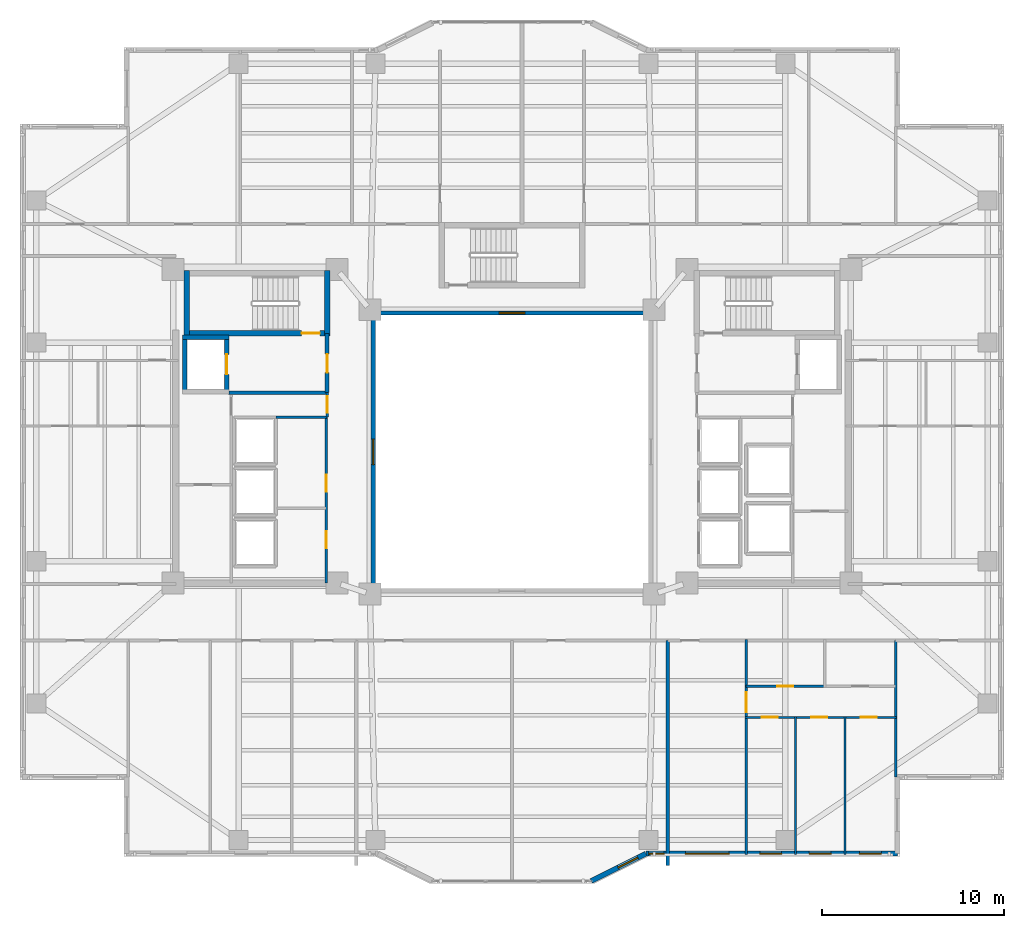
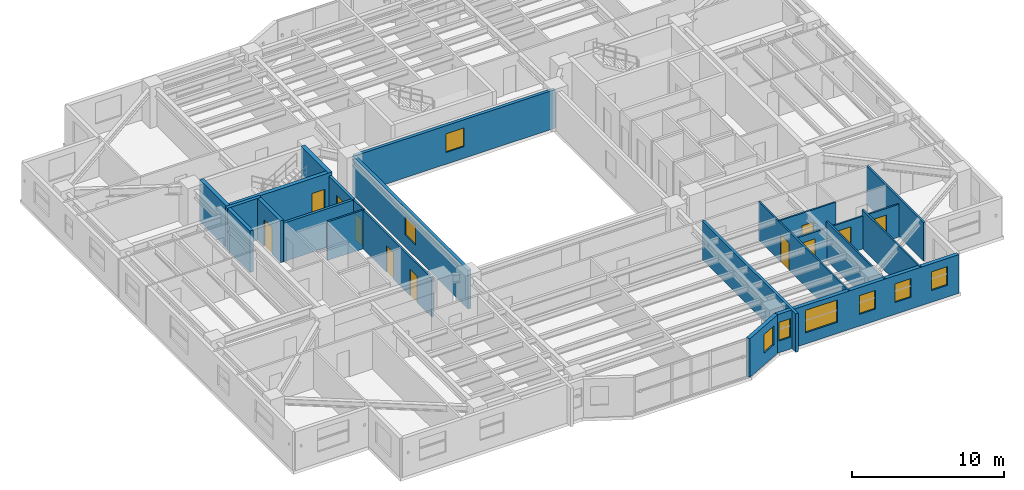
# One storey, part 7 of 18: 22 walls, 11 doors, 8 windows, 19 openings.
"""IFC4 building model written with IfcOpenShell, lengths in metres."""

import ifcopenshell
import ifcopenshell.guid

model = None  # the IFC model being written
_history = None  # IfcOwnerHistory: only IFC2X3 demands one
_inside = {}  # id of a spatial element -> (the spatial element, [elements in it])
_under = {}  # id of a project, library or spatial element -> (it, [spatial elements below it])
_declared = {}  # id of a project -> (the project, [libraries it declares])
_typed = {}  # id of a type object -> (the type object, [elements of that type])
_made_of = {}  # id of a material, layer set ... -> (it, [elements and type objects made of it])


def new_model(schema):
    """Start an empty IFC model of exactly this schema.

    Asked for "IFC4X3", IfcOpenShell would pick the latest addendum, in which some entities
    have other attributes; the version numbers below select the first issue.
    IFC2X3 requires an IfcOwnerHistory on every rooted entity: one is made here for all.
    """
    global model, _history
    if schema == "IFC4X3":
        model = ifcopenshell.file(schema_version=(4, 3, 0, 0))
    else:
        model = ifcopenshell.file(schema=schema)
    _inside.clear()
    _under.clear()
    _declared.clear()
    _typed.clear()
    _made_of.clear()
    _history = None
    if model.schema == "IFC2X3":
        org = make("IfcOrganization", Name="unknown")
        user = make(
            "IfcPersonAndOrganization",
            ThePerson=make("IfcPerson", FamilyName="unknown"),
            TheOrganization=org,
        )
        app = make(
            "IfcApplication",
            ApplicationDeveloper=org,
            Version="unknown",
            ApplicationFullName="unknown",
            ApplicationIdentifier="unknown",
        )
        _history = make(
            "IfcOwnerHistory",
            OwningUser=user,
            OwningApplication=app,
            ChangeAction="ADDED",
            CreationDate=0,
        )
    return model


def make(cls, **values):
    """One entity of the class cls with the attributes given. An attribute that is None is left unset."""
    return model.create_entity(
        cls, **{name: value for name, value in values.items() if value is not None}
    )


def rooted(cls, **values):
    """An entity with a GlobalId (a new one), such as an element, a storey or a relation."""
    return make(cls, GlobalId=ifcopenshell.guid.new(), OwnerHistory=_history, **values)


def si_unit(unit_type, name, prefix=None):
    """IfcSIUnit, for example si_unit("LENGTHUNIT", "METRE", prefix="MILLI")."""
    return make("IfcSIUnit", UnitType=unit_type, Prefix=prefix, Name=name)


def assignment(units):
    """IfcUnitAssignment: the units of a project."""
    return None if units is None else make("IfcUnitAssignment", Units=units)


def point(xyz):
    """IfcCartesianPoint."""
    return None if xyz is None else make("IfcCartesianPoint", Coordinates=xyz)


def direction(xyz):
    """IfcDirection."""
    return None if xyz is None else make("IfcDirection", DirectionRatios=xyz)


def frame(location, z_axis=None, x_axis=None):
    """IfcAxis2Placement3D, a coordinate frame: its origin and axes. An axis left out is left unset."""
    return make(
        "IfcAxis2Placement3D",
        Location=point(location),
        Axis=direction(z_axis),
        RefDirection=direction(x_axis),
    )


def frame_2d(location, x_axis=None):
    """IfcAxis2Placement2D, a coordinate frame in the plane: its origin and x axis."""
    return make(
        "IfcAxis2Placement2D", Location=point(location), RefDirection=direction(x_axis)
    )


def origin():
    """The frame at (0, 0, 0) with its axes left unset."""
    return frame((0.0, 0.0, 0.0))


def place(relative_to, where):
    """IfcLocalPlacement: puts the frame where relative to a parent placement (None: the world)."""
    return make(
        "IfcLocalPlacement", PlacementRelTo=relative_to, RelativePlacement=where
    )


def context(
    kind, dimensions, precision=None, world=None, true_north=None, identifier=None
):
    """IfcGeometricRepresentationContext, for example the 3D "Model" context."""
    return make(
        "IfcGeometricRepresentationContext",
        ContextIdentifier=identifier,
        ContextType=kind,
        CoordinateSpaceDimension=dimensions,
        Precision=precision,
        WorldCoordinateSystem=world,
        TrueNorth=true_north,
    )


def subcontext(parent, identifier, kind, view, scale=None):
    """IfcGeometricRepresentationSubContext, for example "Body" below "Model"."""
    return make(
        "IfcGeometricRepresentationSubContext",
        ContextIdentifier=identifier,
        ContextType=kind,
        ParentContext=parent,
        TargetScale=scale,
        TargetView=view,
    )


def project(units=None, contexts=None):
    """IfcProject with its units and contexts."""
    return rooted(
        "IfcProject",
        Name="project",
        RepresentationContexts=contexts,
        UnitsInContext=assignment(units),
    )


def spatial(cls, under=None, at=None, **own):
    """A site, building, storey or space (cls), placed at a placement, below another one or the project."""
    s = rooted(cls, ObjectPlacement=at, **own)
    if under is not None:
        _under.setdefault(under.id(), (under, []))[1].append(s)
    return s


def profile(cls, at=None, kind="AREA", **sizes):
    """A parametric profile (cls). Its sizes go by their IFC names, for example OverallWidth=200.0."""
    return make(cls, ProfileType=kind, Position=at, **sizes)


def rectangle(**sizes):
    """IfcRectangleProfileDef."""
    return profile("IfcRectangleProfileDef", **sizes)


def extrude(swept, where, along, depth):
    """IfcExtrudedAreaSolid: the profile swept, set in the frame where, extruded along a direction by depth."""
    return make(
        "IfcExtrudedAreaSolid",
        SweptArea=swept,
        Position=where,
        ExtrudedDirection=direction(along),
        Depth=depth,
    )


def shape(context_of_items, identifier, shape_type, items):
    """IfcShapeRepresentation: the items that make up one representation, for example the "Body"."""
    return make(
        "IfcShapeRepresentation",
        ContextOfItems=context_of_items,
        RepresentationIdentifier=identifier,
        RepresentationType=shape_type,
        Items=items,
    )


def material(Name=None, Category=None):
    """IfcMaterial."""
    return make("IfcMaterial", Name=Name, Category=Category)


def layer(
    of_material, thickness, ventilated=None, Name=None, Category=None, Priority=None
):
    """IfcMaterialLayer: one layer of a wall or slab, of a material (None: an air gap)."""
    return make(
        "IfcMaterialLayer",
        Material=of_material,
        LayerThickness=thickness,
        IsVentilated=ventilated,
        Name=Name,
        Category=Category,
        Priority=Priority,
    )


def layer_set(layers, Name=None):
    """IfcMaterialLayerSet."""
    return make("IfcMaterialLayerSet", MaterialLayers=layers, LayerSetName=Name)


def made_of(thing, what):
    """Note that an element or type object is made of a material, layer set ...; save() writes the relation."""
    if what is not None:
        _made_of.setdefault(what.id(), (what, []))[1].append(thing)
    return thing


def type_object(cls, material=None, **own):
    """A type object (cls), such as IfcWallType, which elements share."""
    return made_of(rooted(cls, **own), material)


def element(
    cls,
    number,
    at=None,
    inside=None,
    cuts=None,
    type_object=None,
    material=None,
    context=None,
    identifier="Body",
    shape_type=None,
    held_by="IfcProductDefinitionShape",
    body=None,
    shapes=None,
    **own,
):
    """One element of the class cls, such as IfcWall. Its Tag is "e" and its number.

    at: its placement. inside: the storey or other place that contains it. cuts: it is an
    opening in that element (IfcRelVoidsElement). A single representation is given by context,
    identifier, shape_type and body (its items); several are given by shapes. held_by: the class
    of the entity that holds the representations. save() writes the other relations.
    """
    e = rooted(cls, Tag="e%d" % number, ObjectPlacement=at, **own)
    if body is not None:
        shapes = [shape(context, identifier, shape_type, body)]
    if shapes is not None:
        e.Representation = make(held_by, Representations=shapes)
    if inside is not None:
        _inside.setdefault(inside.id(), (inside, []))[1].append(e)
    if cuts is not None:
        rooted(
            "IfcRelVoidsElement", RelatingBuildingElement=cuts, RelatedOpeningElement=e
        )
    if type_object is not None:
        _typed.setdefault(type_object.id(), (type_object, []))[1].append(e)
    return made_of(e, material)


def fill(opening, filler):
    """IfcRelFillsElement: the door or window that sits in an opening."""
    return rooted(
        "IfcRelFillsElement",
        RelatingOpeningElement=opening,
        RelatedBuildingElement=filler,
    )


def aggregate(whole, parts):
    """IfcRelAggregates: a whole, such as a stair, and the parts it consists of."""
    return rooted("IfcRelAggregates", RelatingObject=whole, RelatedObjects=parts)


def save(model, path):
    """Write the relations noted so far, then the file.

    IfcRelAggregates (storeys below a building ...), IfcRelContainedInSpatialStructure (elements
    in a storey), IfcRelDefinesByType, IfcRelAssociatesMaterial and IfcRelDeclares: one each for
    every whole, place, type object, material and project.
    """
    for whole, parts in _under.values():
        aggregate(whole, parts)
    for where, things in _inside.values():
        rooted(
            "IfcRelContainedInSpatialStructure",
            RelatedElements=things,
            RelatingStructure=where,
        )
    for kind, things in _typed.values():
        rooted("IfcRelDefinesByType", RelatedObjects=things, RelatingType=kind)
    for what, things in _made_of.values():
        rooted("IfcRelAssociatesMaterial", RelatedObjects=things, RelatingMaterial=what)
    for by, libraries in _declared.values():
        rooted("IfcRelDeclares", RelatingContext=by, RelatedDefinitions=libraries)
    model.write(path)


model = new_model("IFC4")

# Units and contexts
model_context = context("Model", 3, precision=1e-05, world=origin(), true_north=direction((0.0, 1.0)))
body_context = subcontext(model_context, "Body", "Model", "MODEL_VIEW")
ifc_project = project(units=[si_unit("LENGTHUNIT", "METRE"), si_unit("AREAUNIT", "SQUARE_METRE"), si_unit("VOLUMEUNIT", "CUBIC_METRE"), si_unit("PLANEANGLEUNIT", "RADIAN"), si_unit("MASSUNIT", "GRAM", prefix="KILO")], contexts=[model_context])

# Site, building, storey
site_placement = place(None, origin())
site = spatial("IfcSite", under=ifc_project, at=site_placement, CompositionType="ELEMENT")
building_placement = place(site_placement, origin())
building = spatial("IfcBuilding", under=site, at=building_placement, Name="Tarnavaz Court Tower", CompositionType="ELEMENT")
storey_placement = place(building_placement, frame((0.0, 0.0, 108.449951171875)))
storey = spatial("IfcBuildingStorey", under=building, at=storey_placement, Name="L29", CompositionType="ELEMENT", Elevation=108.449951171875)

# Wall
ifc_material_1 = material(Name="Concrete C60/75", Category="concrete")
ifc_layer_1 = layer(ifc_material_1, 0.25)
ifc_layer_set_1 = layer_set([ifc_layer_1], Name="Concrete C60/75")
wall_type_1 = type_object("IfcWallType", Name="WL-CORE-250-C60", PredefinedType="SHEAR", material=ifc_layer_set_1)
wall_1_placement = place(storey_placement, frame((-17.949951171875, 3.175048828125, 0.0), z_axis=(0.0, 0.0, 1.0), x_axis=(0.0, 1.0, 0.0)))
element("IfcWall", 1, at=wall_1_placement, inside=storey, type_object=wall_type_1, Name="L29 Lift FL-W1 Shaft Wall 017", PredefinedType="SHEAR", context=body_context, shape_type="SweptSolid", body=[
    extrude(rectangle(XDim=3.25, YDim=0.25, at=frame_2d((1.625, 0.0))), origin(), (0.0, 0.0, 1.0), 3.35009765625),
])

# Wall, opening, door
wall_2_placement = place(storey_placement, frame((-15.64990234375, 3.175048828125, 0.0), z_axis=(0.0, 0.0, 1.0), x_axis=(0.0, 1.0, 0.0)))
wall_2 = element("IfcWall", 2, at=wall_2_placement, inside=storey, type_object=wall_type_1, Name="L29 Lift FL-W1 Shaft Wall 018", PredefinedType="SHEAR", context=body_context, shape_type="SweptSolid", body=[
    extrude(rectangle(XDim=3.25, YDim=0.25, at=frame_2d((1.625, 0.0))), origin(), (0.0, 0.0, 1.0), 3.35009765625),
])
opening_1_placement = place(wall_2_placement, frame((1.074951171875, 0.0, 0.0)))
opening_1 = element("IfcOpeningElement", 3, at=opening_1_placement, cuts=wall_2, Name="Opening LD1", PredefinedType="OPENING", context=body_context, shape_type="SweptSolid", body=[
    extrude(rectangle(XDim=1.10009765625, YDim=2.14990234375, at=frame_2d((0.550048828125, 1.074951171875))), frame((0.0, 0.135009765625, 0.0), z_axis=(0.0, -1.0, 0.0), x_axis=(1.0, 0.0, 0.0)), (0.0, 0.0, 1.0), 0.27001953125),
])
ifc_material_2 = material(Name="Stainless Steel", Category="steel")
door_type_1 = type_object("IfcDoorType", Name="DR-LD-1100", OperationType="NOTDEFINED", PredefinedType="DOOR", material=ifc_material_2)
door_1_placement = place(opening_1_placement, origin())
door_1 = element("IfcDoor", 4, at=door_1_placement, inside=storey, type_object=door_type_1, Name="L29 Lift Landing Door LD-FL-W1", OperationType="SLIDING_TO_LEFT", OverallHeight=2.14990234375, OverallWidth=1.10009765625, PredefinedType="DOOR", context=body_context, shape_type="SweptSolid", body=[
    extrude(rectangle(XDim=1.10009765625, YDim=2.14990234375, at=frame_2d((0.550048828125, 1.074951171875))), frame((0.0, 0.02490234375, 0.0), z_axis=(0.0, -1.0, 0.0), x_axis=(1.0, 0.0, 0.0)), (0.0, 0.0, 1.0), 0.050048828125),
])
fill(opening_1, door_1)

# Wall
wall_3_placement = place(storey_placement, frame((-18.074951171875, 6.300048828125, 0.0), z_axis=(0.0, 0.0, 1.0), x_axis=(1.0, 0.0, 0.0)))
element("IfcWall", 5, at=wall_3_placement, inside=storey, type_object=wall_type_1, Name="L29 Lift FL-W1 Shaft Wall 020", PredefinedType="SHEAR", context=body_context, shape_type="SweptSolid", body=[
    extrude(rectangle(XDim=2.550048828125, YDim=0.25, at=frame_2d((1.27490234375, 0.0))), origin(), (0.0, 0.0, 1.0), 3.35009765625),
])

# Wall, opening, door
ifc_layer_2 = layer(ifc_material_1, 0.300048828125)
ifc_layer_set_2 = layer_set([ifc_layer_2], Name="Concrete C60/75")
wall_type_2 = type_object("IfcWallType", Name="WL-CORE-300-C60", PredefinedType="SHEAR", material=ifc_layer_set_2)
wall_4_placement = place(storey_placement, frame((-18.0, 6.5, 0.0), z_axis=(0.0, 0.0, 1.0), x_axis=(1.0, 0.0, 0.0)))
wall_4 = element("IfcWall", 6, at=wall_4_placement, inside=storey, type_object=wall_type_2, Name="L29 West Stair Core Wall 002", PredefinedType="SHEAR", context=body_context, shape_type="SweptSolid", body=[
    extrude(rectangle(XDim=8.0, YDim=0.300048828125, at=frame_2d((4.0, 0.0))), origin(), (0.0, 0.0, 1.0), 3.35009765625),
])
opening_2_placement = place(wall_4_placement, frame((6.449951171875, 0.0, 0.0)))
opening_2 = element("IfcOpeningElement", 7, at=opening_2_placement, cuts=wall_4, Name="Opening D01", PredefinedType="OPENING", context=body_context, shape_type="SweptSolid", body=[
    extrude(rectangle(XDim=1.0, YDim=2.14990234375, at=frame_2d((0.5, 1.074951171875))), frame((0.0, 0.159912109375, 0.0), z_axis=(0.0, -1.0, 0.0), x_axis=(1.0, 0.0, 0.0)), (0.0, 0.0, 1.0), 0.320068359375),
])
ifc_material_3 = material(Name="Fire-Rated Hardwood Timber Core", Category="wood")
door_type_2 = type_object("IfcDoorType", Name="DR-FD90-1000", OperationType="NOTDEFINED", PredefinedType="DOOR", material=ifc_material_3)
door_2_placement = place(opening_2_placement, origin())
door_2 = element("IfcDoor", 8, at=door_2_placement, inside=storey, type_object=door_type_2, Name="L29 Stair ST-W1 Exit Door", OperationType="SINGLE_SWING_LEFT", OverallHeight=2.14990234375, OverallWidth=1.0, PredefinedType="DOOR", context=body_context, shape_type="SweptSolid", body=[
    extrude(rectangle(XDim=1.0, YDim=2.14990234375, at=frame_2d((0.5, 1.074951171875))), frame((0.0, 0.02490234375, 0.0), z_axis=(0.0, -1.0, 0.0), x_axis=(1.0, 0.0, 0.0)), (0.0, 0.0, 1.0), 0.050048828125),
])
fill(opening_2, door_2)

# Walls
for number, where, z_axis, x_axis, name in (
    (9, (-17.85009765625, 6.35009765625, 0.0), (0.0, 0.0, 1.0), (0.0, 1.0, 0.0), "L29 West Stair Core Wall 003"),
    (10, (-10.14990234375, 6.35009765625, 0.0), (0.0, 0.0, 1.0), (0.0, 1.0, 0.0), "L29 West Stair Core Wall 004"),
):
    element("IfcWall", number, at=place(storey_placement, frame(where, z_axis=z_axis, x_axis=x_axis)), inside=storey, type_object=wall_type_2, Name=name, PredefinedType="SHEAR", context=body_context, shape_type="SweptSolid", body=[
        extrude(rectangle(XDim=3.58984375, YDim=0.300048828125, at=frame_2d((1.794921875, 0.0))), origin(), (0.0, 0.0, 1.0), 3.35009765625),
    ])

# Wall, openings, windows
ifc_material_4 = material(Name="Precast Concrete C40/50", Category="concrete")
ifc_layer_3 = layer(ifc_material_4, 0.280029296875)
ifc_layer_set_3 = layer_set([ifc_layer_3], Name="Precast Concrete C40/50")
wall_type_3 = type_object("IfcWallType", Name="WL-EXT-280", PredefinedType="SOLIDWALL", material=ifc_layer_set_3)
wall_5_placement = place(storey_placement, frame((21.14990234375, -22.050048828125, 0.0), z_axis=(0.0, 0.0, 1.0), x_axis=(-1.0, 0.0, 0.0)))
wall_5 = element("IfcWall", 11, at=wall_5_placement, inside=storey, type_object=wall_type_3, Name="L29 Exterior Terracotta Facade Wall 15", PredefinedType="SOLIDWALL", context=body_context, shape_type="SweptSolid", body=[
    extrude(rectangle(XDim=13.7998046875, YDim=0.280029296875, at=frame_2d((6.89990234375, 0.0))), origin(), (0.0, 0.0, 1.0), 3.10009765625),
])
opening_3_placement = place(wall_5_placement, frame((0.88037109375, 0.0, 0.949951171875)))
opening_3 = element("IfcOpeningElement", 12, at=opening_3_placement, cuts=wall_5, Name="Opening W05", PredefinedType="OPENING", context=body_context, shape_type="SweptSolid", body=[
    extrude(rectangle(XDim=1.199951171875, YDim=1.5, at=frame_2d((0.60009765625, 0.75))), frame((0.0, 0.14990234375, 0.0), z_axis=(0.0, -1.0, 0.0), x_axis=(1.0, 0.0, 0.0)), (0.0, 0.0, 1.0), 0.300048828125),
])
opening_4_placement = place(wall_5_placement, frame((3.640380859375, 0.0, 0.949951171875)))
opening_4 = element("IfcOpeningElement", 13, at=opening_4_placement, cuts=wall_5, Name="Opening W05", PredefinedType="OPENING", context=body_context, shape_type="SweptSolid", body=[
    extrude(rectangle(XDim=1.199951171875, YDim=1.5, at=frame_2d((0.60009765625, 0.75))), frame((0.0, 0.14990234375, 0.0), z_axis=(0.0, -1.0, 0.0), x_axis=(1.0, 0.0, 0.0)), (0.0, 0.0, 1.0), 0.300048828125),
])
opening_5_placement = place(wall_5_placement, frame((6.35009765625, 0.0, 0.949951171875)))
opening_5 = element("IfcOpeningElement", 14, at=opening_5_placement, cuts=wall_5, Name="Opening W05", PredefinedType="OPENING", context=body_context, shape_type="SweptSolid", body=[
    extrude(rectangle(XDim=1.199951171875, YDim=1.5, at=frame_2d((0.60009765625, 0.75))), frame((0.0, 0.14990234375, 0.0), z_axis=(0.0, -1.0, 0.0), x_axis=(1.0, 0.0, 0.0)), (0.0, 0.0, 1.0), 0.300048828125),
])
opening_6_placement = place(wall_5_placement, frame((9.23779296875, 0.0, 0.89990234375)))
opening_6 = element("IfcOpeningElement", 15, at=opening_6_placement, cuts=wall_5, Name="Opening W06", PredefinedType="OPENING", context=body_context, shape_type="SweptSolid", body=[
    extrude(rectangle(XDim=2.39990234375, YDim=1.800048828125, at=frame_2d((1.199951171875, 0.89990234375))), frame((0.0, 0.14990234375, 0.0), z_axis=(0.0, -1.0, 0.0), x_axis=(1.0, 0.0, 0.0)), (0.0, 0.0, 1.0), 0.300048828125),
])
opening_7_placement = place(wall_5_placement, frame((12.802978515625, 0.0, 0.949951171875)))
opening_7 = element("IfcOpeningElement", 16, at=opening_7_placement, cuts=wall_5, Name="Opening W15", PredefinedType="OPENING", context=body_context, shape_type="SweptSolid", body=[
    extrude(rectangle(XDim=0.85009765625, YDim=1.5, at=frame_2d((0.425048828125, 0.75))), frame((0.0, 0.14990234375, 0.0), z_axis=(0.0, -1.0, 0.0), x_axis=(1.0, 0.0, 0.0)), (0.0, 0.0, 1.0), 0.300048828125),
])
ifc_material_5 = material(Name="Double-Glazed Solar Low-E Glass", Category="glass")
window_type_1 = type_object("IfcWindowType", Name="WN-APT-1200", PartitioningType="SINGLE_PANEL", PredefinedType="WINDOW", material=ifc_material_5)
window_1_placement = place(opening_3_placement, origin())
window_1 = element("IfcWindow", 17, at=window_1_placement, inside=storey, type_object=window_type_1, Name="L29 Flat 01 Bedroom 3 Window", OverallHeight=1.5, OverallWidth=1.199951171875, PartitioningType="SINGLE_PANEL", PredefinedType="WINDOW", context=body_context, shape_type="SweptSolid", body=[
    extrude(rectangle(XDim=1.199951171875, YDim=1.5, at=frame_2d((0.60009765625, 0.75))), frame((0.0, 0.030029296875, 0.0), z_axis=(0.0, -1.0, 0.0), x_axis=(1.0, 0.0, 0.0)), (0.0, 0.0, 1.0), 0.06005859375),
])
fill(opening_3, window_1)
window_2_placement = place(opening_4_placement, origin())
window_2 = element("IfcWindow", 18, at=window_2_placement, inside=storey, type_object=window_type_1, Name="L29 Flat 01 Bedroom 2 Window", OverallHeight=1.5, OverallWidth=1.199951171875, PartitioningType="SINGLE_PANEL", PredefinedType="WINDOW", context=body_context, shape_type="SweptSolid", body=[
    extrude(rectangle(XDim=1.199951171875, YDim=1.5, at=frame_2d((0.60009765625, 0.75))), frame((0.0, 0.030029296875, 0.0), z_axis=(0.0, -1.0, 0.0), x_axis=(1.0, 0.0, 0.0)), (0.0, 0.0, 1.0), 0.06005859375),
])
fill(opening_4, window_2)
window_3_placement = place(opening_5_placement, origin())
window_3 = element("IfcWindow", 19, at=window_3_placement, inside=storey, type_object=window_type_1, Name="L29 Flat 01 Principal Bedroom Window", OverallHeight=1.5, OverallWidth=1.199951171875, PartitioningType="SINGLE_PANEL", PredefinedType="WINDOW", context=body_context, shape_type="SweptSolid", body=[
    extrude(rectangle(XDim=1.199951171875, YDim=1.5, at=frame_2d((0.60009765625, 0.75))), frame((0.0, 0.030029296875, 0.0), z_axis=(0.0, -1.0, 0.0), x_axis=(1.0, 0.0, 0.0)), (0.0, 0.0, 1.0), 0.06005859375),
])
fill(opening_5, window_3)
window_type_2 = type_object("IfcWindowType", Name="WN-APT-2400", PartitioningType="TRIPLE_PANEL_VERTICAL", PredefinedType="WINDOW", material=ifc_material_5)
window_4_placement = place(opening_6_placement, origin())
window_4 = element("IfcWindow", 20, at=window_4_placement, inside=storey, type_object=window_type_2, Name="L29 Flat 01 Living and Dining Room Window", OverallHeight=1.800048828125, OverallWidth=2.39990234375, PartitioningType="SINGLE_PANEL", PredefinedType="WINDOW", context=body_context, shape_type="SweptSolid", body=[
    extrude(rectangle(XDim=2.39990234375, YDim=1.800048828125, at=frame_2d((1.199951171875, 0.89990234375))), frame((0.0, 0.030029296875, 0.0), z_axis=(0.0, -1.0, 0.0), x_axis=(1.0, 0.0, 0.0)), (0.0, 0.0, 1.0), 0.06005859375),
])
fill(opening_6, window_4)
window_type_3 = type_object("IfcWindowType", Name="WN-APT-850", PartitioningType="SINGLE_PANEL", PredefinedType="WINDOW", material=ifc_material_5)
window_5_placement = place(opening_7_placement, origin())
window_5 = element("IfcWindow", 21, at=window_5_placement, inside=storey, type_object=window_type_3, Name="L29 South Courtyard Reading Room Window", OverallHeight=1.5, OverallWidth=0.85009765625, PartitioningType="SINGLE_PANEL", PredefinedType="WINDOW", context=body_context, shape_type="SweptSolid", body=[
    extrude(rectangle(XDim=0.85009765625, YDim=1.5, at=frame_2d((0.425048828125, 0.75))), frame((0.0, 0.030029296875, 0.0), z_axis=(0.0, -1.0, 0.0), x_axis=(1.0, 0.0, 0.0)), (0.0, 0.0, 1.0), 0.06005859375),
])
fill(opening_7, window_5)

# Wall, opening, window
wall_6_placement = place(storey_placement, frame((7.35009765625, -22.050048828125, 0.0), z_axis=(0.0, 0.0, 1.0), x_axis=(-0.894427191, -0.4472135955, 0.0)))
wall_6 = element("IfcWall", 22, at=wall_6_placement, inside=storey, type_object=wall_type_3, Name="L29 Exterior Terracotta Facade Wall 16", PredefinedType="SOLIDWALL", context=body_context, shape_type="SweptSolid", body=[
    extrude(rectangle(XDim=3.35400390625, YDim=0.280029296875, at=frame_2d((1.677001953125, 0.0))), origin(), (0.0, 0.0, 1.0), 3.10009765625),
])
opening_8_placement = place(wall_6_placement, frame((0.501220703125, 0.0, 0.949951171875)))
opening_8 = element("IfcOpeningElement", 23, at=opening_8_placement, cuts=wall_6, Name="Opening W05", PredefinedType="OPENING", context=body_context, shape_type="SweptSolid", body=[
    extrude(rectangle(XDim=1.199951171875, YDim=1.5, at=frame_2d((0.60009765625, 0.75))), frame((0.0, 0.14990234375, 0.0), z_axis=(0.0, -1.0, 0.0), x_axis=(1.0, 0.0, 0.0)), (0.0, 0.0, 1.0), 0.300048828125),
])
window_6_placement = place(opening_8_placement, origin())
window_6 = element("IfcWindow", 24, at=window_6_placement, inside=storey, type_object=window_type_1, Name="L29 South Courtyard Reading Room Window", OverallHeight=1.5, OverallWidth=1.199951171875, PartitioningType="SINGLE_PANEL", PredefinedType="WINDOW", context=body_context, shape_type="SweptSolid", body=[
    extrude(rectangle(XDim=1.199951171875, YDim=1.5, at=frame_2d((0.60009765625, 0.75))), frame((0.0, 0.030029296875, 0.0), z_axis=(0.0, -1.0, 0.0), x_axis=(1.0, 0.0, 0.0)), (0.0, 0.0, 1.0), 0.06005859375),
])
fill(opening_8, window_6)

# Wall
ifc_material_6 = material(Name="Autoclaved Aerated Concrete Blockwork", Category="masonry")
ifc_layer_4 = layer(ifc_material_6, 0.199951171875)
ifc_layer_set_4 = layer_set([ifc_layer_4], Name="Autoclaved Aerated Concrete Blockwork")
wall_type_4 = type_object("IfcWallType", Name="WL-FIRE-200", PredefinedType="SOLIDWALL", material=ifc_layer_set_4)
wall_7_placement = place(storey_placement, frame((-15.550048828125, 3.25, 0.0), z_axis=(0.0, 0.0, 1.0), x_axis=(1.0, 0.0, 0.0)))
element("IfcWall", 25, at=wall_7_placement, inside=storey, type_object=wall_type_4, Name="L29 West Firefighting Lobby Wall 013", PredefinedType="SOLIDWALL", context=body_context, shape_type="SweptSolid", body=[
    extrude(rectangle(XDim=5.400146484375, YDim=0.199951171875, at=frame_2d((2.7001953125, 0.0))), origin(), (0.0, 0.0, 1.0), 3.10009765625),
])

# Wall, opening, door
wall_8_placement = place(storey_placement, frame((-10.14990234375, 3.25, 0.0), z_axis=(0.0, 0.0, 1.0), x_axis=(0.0, 1.0, 0.0)))
wall_8 = element("IfcWall", 26, at=wall_8_placement, inside=storey, type_object=wall_type_4, Name="L29 West Firefighting Lobby Wall 014", PredefinedType="SOLIDWALL", context=body_context, shape_type="SweptSolid", body=[
    extrude(rectangle(XDim=3.25, YDim=0.199951171875, at=frame_2d((1.625, 0.0))), origin(), (0.0, 0.0, 1.0), 3.10009765625),
])
opening_9_placement = place(wall_8_placement, frame((1.10009765625, 0.0, 0.0)))
opening_9 = element("IfcOpeningElement", 27, at=opening_9_placement, cuts=wall_8, Name="Opening D05", PredefinedType="OPENING", context=body_context, shape_type="SweptSolid", body=[
    extrude(rectangle(XDim=1.02001953125, YDim=2.14990234375, at=frame_2d((0.510009765625, 1.074951171875))), frame((0.0, 0.10986328125, 0.0), z_axis=(0.0, -1.0, 0.0), x_axis=(1.0, 0.0, 0.0)), (0.0, 0.0, 1.0), 0.219970703125),
])
door_type_3 = type_object("IfcDoorType", Name="DR-FD60-1000", OperationType="NOTDEFINED", PredefinedType="DOOR", material=ifc_material_3)
door_3_placement = place(opening_9_placement, origin())
door_3 = element("IfcDoor", 28, at=door_3_placement, inside=storey, type_object=door_type_3, Name="L29 West Firefighting Lobby Door", OperationType="SINGLE_SWING_RIGHT", OverallHeight=2.14990234375, OverallWidth=1.02001953125, PredefinedType="DOOR", context=body_context, shape_type="SweptSolid", body=[
    extrude(rectangle(XDim=1.02001953125, YDim=2.14990234375, at=frame_2d((0.510009765625, 1.074951171875))), frame((0.0, 0.02490234375, 0.0), z_axis=(0.0, -1.0, 0.0), x_axis=(1.0, 0.0, 0.0)), (0.0, 0.0, 1.0), 0.050048828125),
])
fill(opening_9, door_3)

# Wall
wall_9_placement = place(storey_placement, frame((8.550048828125, -22.7041015625, 0.0), z_axis=(0.0, 0.0, 1.0), x_axis=(0.0, 1.0, 0.0)))
element("IfcWall", 29, at=wall_9_placement, inside=storey, type_object=wall_type_4, Name="L29 Party Wall 092", PredefinedType="SOLIDWALL", context=body_context, shape_type="SweptSolid", body=[
    extrude(rectangle(XDim=12.35400390625, YDim=0.199951171875, at=frame_2d((6.177001953125, 0.0))), origin(), (0.0, 0.0, 1.0), 3.10009765625),
])

# Wall, opening, door
ifc_material_7 = material(Name="Moisture-Resistant Gypsum Board Partition", Category="masonry")
ifc_layer_5 = layer(ifc_material_7, 0.1201171875)
ifc_layer_set_5 = layer_set([ifc_layer_5], Name="Moisture-Resistant Gypsum Board Partition")
wall_type_5 = type_object("IfcWallType", Name="WL-PART-120", PredefinedType="PARTITIONING", material=ifc_layer_set_5)
wall_10_placement = place(storey_placement, frame((12.85205078125, -22.10009765625, 0.0), z_axis=(0.0, 0.0, 1.0), x_axis=(0.0, 1.0, 0.0)))
wall_10 = element("IfcWall", 30, at=wall_10_placement, inside=storey, type_object=wall_type_5, Name="L29 Interior Partition 084", PredefinedType="PARTITIONING", context=body_context, shape_type="SweptSolid", body=[
    extrude(rectangle(XDim=11.81005859375, YDim=0.1201171875, at=frame_2d((5.905029296875, 0.0))), origin(), (0.0, 0.0, 1.0), 3.10009765625),
])
opening_10_placement = place(wall_10_placement, frame((7.81494140625, 0.0, 0.0)))
opening_10 = element("IfcOpeningElement", 31, at=opening_10_placement, cuts=wall_10, Name="Opening D12", PredefinedType="OPENING", context=body_context, shape_type="SweptSolid", body=[
    extrude(rectangle(XDim=1.080078125, YDim=2.14990234375, at=frame_2d((0.5400390625, 1.074951171875))), frame((0.0, 0.070068359375, 0.0), z_axis=(0.0, -1.0, 0.0), x_axis=(1.0, 0.0, 0.0)), (0.0, 0.0, 1.0), 0.14013671875),
])
ifc_material_8 = material(Name="Engineered Oak Timber", Category="wood")
door_type_4 = type_object("IfcDoorType", Name="DR-INT-1100", OperationType="NOTDEFINED", PredefinedType="DOOR", material=ifc_material_8)
door_4_placement = place(opening_10_placement, origin())
door_4 = element("IfcDoor", 32, at=door_4_placement, inside=storey, type_object=door_type_4, Name="L29 Flat 01 Foyer Door", OperationType="SINGLE_SWING_LEFT", OverallHeight=2.14990234375, OverallWidth=1.080078125, PredefinedType="DOOR", context=body_context, shape_type="SweptSolid", body=[
    extrude(rectangle(XDim=1.080078125, YDim=2.14990234375, at=frame_2d((0.5400390625, 1.074951171875))), frame((0.0, 0.02490234375, 0.0), z_axis=(0.0, -1.0, 0.0), x_axis=(1.0, 0.0, 0.0)), (0.0, 0.0, 1.0), 0.050048828125),
])
fill(opening_10, door_4)

wall_11_placement = place(storey_placement, frame((12.85205078125, -12.860107421875, 0.0), z_axis=(0.0, 0.0, 1.0), x_axis=(1.0, 0.0, 0.0)))
wall_11 = element("IfcWall", 33, at=wall_11_placement, inside=storey, type_object=wall_type_5, Name="L29 Interior Partition 085", PredefinedType="PARTITIONING", context=body_context, shape_type="SweptSolid", body=[
    extrude(rectangle(XDim=4.31298828125, YDim=0.1201171875, at=frame_2d((2.156494140625, 0.0))), origin(), (0.0, 0.0, 1.0), 3.10009765625),
])
opening_11_placement = place(wall_11_placement, frame((1.716064453125, 0.0, 0.0)))
opening_11 = element("IfcOpeningElement", 34, at=opening_11_placement, cuts=wall_11, Name="Opening D14", PredefinedType="OPENING", context=body_context, shape_type="SweptSolid", body=[
    extrude(rectangle(XDim=0.8798828125, YDim=2.10009765625, at=frame_2d((0.43994140625, 1.050048828125))), frame((0.0, 0.070068359375, 0.0), z_axis=(0.0, -1.0, 0.0), x_axis=(1.0, 0.0, 0.0)), (0.0, 0.0, 1.0), 0.14013671875),
])
door_type_5 = type_object("IfcDoorType", Name="DR-INT-900", OperationType="NOTDEFINED", PredefinedType="DOOR", material=ifc_material_8)
door_5_placement = place(opening_11_placement, origin())
door_5 = element("IfcDoor", 35, at=door_5_placement, inside=storey, type_object=door_type_5, Name="L29 Flat 01 Kitchen Door", OperationType="SINGLE_SWING_RIGHT", OverallHeight=2.10009765625, OverallWidth=0.8798828125, PredefinedType="DOOR", context=body_context, shape_type="SweptSolid", body=[
    extrude(rectangle(XDim=0.8798828125, YDim=2.10009765625, at=frame_2d((0.43994140625, 1.050048828125))), frame((0.0, 0.02490234375, 0.0), z_axis=(0.0, -1.0, 0.0), x_axis=(1.0, 0.0, 0.0)), (0.0, 0.0, 1.0), 0.050048828125),
])
fill(opening_11, door_5)

# Wall, openings, doors
wall_12_placement = place(storey_placement, frame((12.7919921875, -14.570068359375, 0.0), z_axis=(0.0, 0.0, 1.0), x_axis=(1.0, 0.0, 0.0)))
wall_12 = element("IfcWall", 36, at=wall_12_placement, inside=storey, type_object=wall_type_5, Name="L29 Interior Partition 087", PredefinedType="PARTITIONING", context=body_context, shape_type="SweptSolid", body=[
    extrude(rectangle(XDim=8.318115234375, YDim=0.1201171875, at=frame_2d((4.1591796875, 0.0))), origin(), (0.0, 0.0, 1.0), 2.635009765625),
])
opening_12_placement = place(wall_12_placement, frame((0.916015625, 0.0, 0.0)))
opening_12 = element("IfcOpeningElement", 37, at=opening_12_placement, cuts=wall_12, Name="Opening D14", PredefinedType="OPENING", context=body_context, shape_type="SweptSolid", body=[
    extrude(rectangle(XDim=0.8798828125, YDim=2.10009765625, at=frame_2d((0.43994140625, 1.050048828125))), frame((0.0, 0.070068359375, 0.0), z_axis=(0.0, -1.0, 0.0), x_axis=(1.0, 0.0, 0.0)), (0.0, 0.0, 1.0), 0.14013671875),
])
opening_13_placement = place(wall_12_placement, frame((3.62890625, 0.0, 0.0)))
opening_13 = element("IfcOpeningElement", 38, at=opening_13_placement, cuts=wall_12, Name="Opening D14", PredefinedType="OPENING", context=body_context, shape_type="SweptSolid", body=[
    extrude(rectangle(XDim=0.8798828125, YDim=2.10009765625, at=frame_2d((0.43994140625, 1.050048828125))), frame((0.0, 0.070068359375, 0.0), z_axis=(0.0, -1.0, 0.0), x_axis=(1.0, 0.0, 0.0)), (0.0, 0.0, 1.0), 0.14013671875),
])
opening_14_placement = place(wall_12_placement, frame((6.342041015625, 0.0, 0.0)))
opening_14 = element("IfcOpeningElement", 39, at=opening_14_placement, cuts=wall_12, Name="Opening D14", PredefinedType="OPENING", context=body_context, shape_type="SweptSolid", body=[
    extrude(rectangle(XDim=0.8798828125, YDim=2.10009765625, at=frame_2d((0.43994140625, 1.050048828125))), frame((0.0, 0.070068359375, 0.0), z_axis=(0.0, -1.0, 0.0), x_axis=(1.0, 0.0, 0.0)), (0.0, 0.0, 1.0), 0.14013671875),
])
door_6_placement = place(opening_12_placement, origin())
door_6 = element("IfcDoor", 40, at=door_6_placement, inside=storey, type_object=door_type_5, Name="L29 Flat 01 Bedroom 1 Door", OperationType="SINGLE_SWING_RIGHT", OverallHeight=2.10009765625, OverallWidth=0.8798828125, PredefinedType="DOOR", context=body_context, shape_type="SweptSolid", body=[
    extrude(rectangle(XDim=0.8798828125, YDim=2.10009765625, at=frame_2d((0.43994140625, 1.050048828125))), frame((0.0, 0.02490234375, 0.0), z_axis=(0.0, -1.0, 0.0), x_axis=(1.0, 0.0, 0.0)), (0.0, 0.0, 1.0), 0.050048828125),
])
fill(opening_12, door_6)
door_7_placement = place(opening_13_placement, origin())
door_7 = element("IfcDoor", 41, at=door_7_placement, inside=storey, type_object=door_type_5, Name="L29 Flat 01 Bedroom 2 Door", OperationType="SINGLE_SWING_LEFT", OverallHeight=2.10009765625, OverallWidth=0.8798828125, PredefinedType="DOOR", context=body_context, shape_type="SweptSolid", body=[
    extrude(rectangle(XDim=0.8798828125, YDim=2.10009765625, at=frame_2d((0.43994140625, 1.050048828125))), frame((0.0, 0.02490234375, 0.0), z_axis=(0.0, -1.0, 0.0), x_axis=(1.0, 0.0, 0.0)), (0.0, 0.0, 1.0), 0.050048828125),
])
fill(opening_13, door_7)
door_8_placement = place(opening_14_placement, origin())
door_8 = element("IfcDoor", 42, at=door_8_placement, inside=storey, type_object=door_type_5, Name="L29 Flat 01 Bedroom 3 Door", OperationType="SINGLE_SWING_RIGHT", OverallHeight=2.10009765625, OverallWidth=0.8798828125, PredefinedType="DOOR", context=body_context, shape_type="SweptSolid", body=[
    extrude(rectangle(XDim=0.8798828125, YDim=2.10009765625, at=frame_2d((0.43994140625, 1.050048828125))), frame((0.0, 0.02490234375, 0.0), z_axis=(0.0, -1.0, 0.0), x_axis=(1.0, 0.0, 0.0)), (0.0, 0.0, 1.0), 0.050048828125),
])
fill(opening_14, door_8)

# Walls
for number, where, z_axis, x_axis, name in (
    (43, (15.56494140625, -22.10009765625, 0.0), (0.0, 0.0, 1.0), (0.0, 1.0, 0.0), "L29 Interior Partition 089"),
    (44, (18.277099609375, -22.10009765625, 0.0), (0.0, 0.0, 1.0), (0.0, 1.0, 0.0), "L29 Interior Partition 090"),
):
    element("IfcWall", number, at=place(storey_placement, frame(where, z_axis=z_axis, x_axis=x_axis)), inside=storey, type_object=wall_type_5, Name=name, PredefinedType="PARTITIONING", context=body_context, shape_type="SweptSolid", body=[
        extrude(rectangle(XDim=7.590087890625, YDim=0.1201171875, at=frame_2d((3.794921875, 0.0))), origin(), (0.0, 0.0, 1.0), 3.10009765625),
    ])
ifc_material_9 = material(Name="Gypsum Plasterboard Acoustic Partition", Category="masonry")
ifc_layer_6 = layer(ifc_material_9, 0.139892578125)
ifc_layer_set_6 = layer_set([ifc_layer_6], Name="Gypsum Plasterboard Acoustic Partition")
wall_type_6 = type_object("IfcWallType", Name="WL-PART-150", PredefinedType="PARTITIONING", material=ifc_layer_set_6)
wall_13_placement = place(storey_placement, frame((-12.949951171875, 1.89990234375, 0.0), z_axis=(0.0, 0.0, 1.0), x_axis=(1.0, 0.0, 0.0)))
element("IfcWall", 45, at=wall_13_placement, inside=storey, type_object=wall_type_6, Name="L29 Interior Partition 061", PredefinedType="PARTITIONING", context=body_context, shape_type="SweptSolid", body=[
    extrude(rectangle(XDim=2.800048828125, YDim=0.139892578125, at=frame_2d((1.39990234375, 0.0))), origin(), (0.0, 0.0, 1.0), 3.10009765625),
])

# Wall, opening, door
wall_14_placement = place(storey_placement, frame((-10.14990234375, 1.919921875, 0.0), z_axis=(0.0, 0.0, 1.0), x_axis=(0.0, 1.0, 0.0)))
wall_14 = element("IfcWall", 46, at=wall_14_placement, inside=storey, type_object=wall_type_6, Name="L29 Interior Partition 062", PredefinedType="PARTITIONING", context=body_context, shape_type="SweptSolid", body=[
    extrude(rectangle(XDim=1.330078125, YDim=0.139892578125, at=frame_2d((0.6650390625, 0.0))), origin(), (0.0, 0.0, 1.0), 3.10009765625),
])
opening_15_placement = place(wall_14_placement, frame((0.219970703125, 0.0, 0.0)))
opening_15 = element("IfcOpeningElement", 47, at=opening_15_placement, cuts=wall_14, Name="Opening D09", PredefinedType="OPENING", context=body_context, shape_type="SweptSolid", body=[
    extrude(rectangle(XDim=0.89990234375, YDim=2.080078125, at=frame_2d((0.449951171875, 1.0400390625))), frame((0.0, 0.079833984375, 0.0), z_axis=(0.0, -1.0, 0.0), x_axis=(1.0, 0.0, 0.0)), (0.0, 0.0, 1.0), 0.159912109375),
])
door_type_6 = type_object("IfcDoorType", Name="DR-FD30-900", OperationType="NOTDEFINED", PredefinedType="DOOR", material=ifc_material_3)
door_9_placement = place(opening_15_placement, origin())
door_9 = element("IfcDoor", 48, at=door_9_placement, inside=storey, type_object=door_type_6, Name="L29 West Core Service Lobby Door", OperationType="SINGLE_SWING_LEFT", OverallHeight=2.080078125, OverallWidth=0.89990234375, PredefinedType="DOOR", context=body_context, shape_type="SweptSolid", body=[
    extrude(rectangle(XDim=0.89990234375, YDim=2.080078125, at=frame_2d((0.449951171875, 1.0400390625))), frame((0.0, 0.02490234375, 0.0), z_axis=(0.0, -1.0, 0.0), x_axis=(1.0, 0.0, 0.0)), (0.0, 0.0, 1.0), 0.050048828125),
])
fill(opening_15, door_9)

# Wall, openings, doors
wall_15_placement = place(storey_placement, frame((-10.199951171875, -7.199951171875, 0.0), z_axis=(0.0, 0.0, 1.0), x_axis=(0.0, 1.0, 0.0)))
wall_15 = element("IfcWall", 49, at=wall_15_placement, inside=storey, type_object=wall_type_6, Name="L29 West Reclaimed Core Wall 065", PredefinedType="PARTITIONING", context=body_context, shape_type="SweptSolid", body=[
    extrude(rectangle(XDim=9.119873046875, YDim=0.139892578125, at=frame_2d((4.56005859375, 0.0))), origin(), (0.0, 0.0, 1.0), 3.10009765625),
])
opening_16_placement = place(wall_15_placement, frame((1.89990234375, 0.0, 0.0)))
opening_16 = element("IfcOpeningElement", 50, at=opening_16_placement, cuts=wall_15, Name="Opening D08", PredefinedType="OPENING", context=body_context, shape_type="SweptSolid", body=[
    extrude(rectangle(XDim=0.949951171875, YDim=2.1201171875, at=frame_2d((0.47509765625, 1.06005859375))), frame((0.0, 0.079833984375, 0.0), z_axis=(0.0, -1.0, 0.0), x_axis=(1.0, 0.0, 0.0)), (0.0, 0.0, 1.0), 0.159912109375),
])
opening_17_placement = place(wall_15_placement, frame((5.0, 0.0, 0.0)))
opening_17 = element("IfcOpeningElement", 51, at=opening_17_placement, cuts=wall_15, Name="Opening D08", PredefinedType="OPENING", context=body_context, shape_type="SweptSolid", body=[
    extrude(rectangle(XDim=0.949951171875, YDim=2.1201171875, at=frame_2d((0.47509765625, 1.06005859375))), frame((0.0, 0.079833984375, 0.0), z_axis=(0.0, -1.0, 0.0), x_axis=(1.0, 0.0, 0.0)), (0.0, 0.0, 1.0), 0.159912109375),
])
door_type_7 = type_object("IfcDoorType", Name="DR-FD30-950", OperationType="NOTDEFINED", PredefinedType="DOOR", material=ifc_material_3)
door_10_placement = place(opening_16_placement, origin())
door_10 = element("IfcDoor", 52, at=door_10_placement, inside=storey, type_object=door_type_7, Name="L29 West Study Room Door", OperationType="SINGLE_SWING_RIGHT", OverallHeight=2.1201171875, OverallWidth=0.949951171875, PredefinedType="DOOR", context=body_context, shape_type="SweptSolid", body=[
    extrude(rectangle(XDim=0.949951171875, YDim=2.1201171875, at=frame_2d((0.47509765625, 1.06005859375))), frame((0.0, 0.02490234375, 0.0), z_axis=(0.0, -1.0, 0.0), x_axis=(1.0, 0.0, 0.0)), (0.0, 0.0, 1.0), 0.050048828125),
])
fill(opening_16, door_10)
door_11_placement = place(opening_17_placement, origin())
door_11 = element("IfcDoor", 53, at=door_11_placement, inside=storey, type_object=door_type_7, Name="L29 West Laundry Room Door", OperationType="SINGLE_SWING_LEFT", OverallHeight=2.1201171875, OverallWidth=0.949951171875, PredefinedType="DOOR", context=body_context, shape_type="SweptSolid", body=[
    extrude(rectangle(XDim=0.949951171875, YDim=2.1201171875, at=frame_2d((0.47509765625, 1.06005859375))), frame((0.0, 0.02490234375, 0.0), z_axis=(0.0, -1.0, 0.0), x_axis=(1.0, 0.0, 0.0)), (0.0, 0.0, 1.0), 0.050048828125),
])
fill(opening_17, door_11)

# Wall
wall_16_placement = place(storey_placement, frame((21.050048828125, -17.85009765625, 0.0), z_axis=(0.0, 0.0, 1.0), x_axis=(0.0, 1.0, 0.0)))
element("IfcWall", 54, at=wall_16_placement, inside=storey, type_object=wall_type_6, Name="L29 Interior Partition 100", PredefinedType="PARTITIONING", context=body_context, shape_type="SweptSolid", body=[
    extrude(rectangle(XDim=7.5, YDim=0.139892578125, at=frame_2d((3.75, 0.0))), origin(), (0.0, 0.0, 1.0), 3.10009765625),
])

# Wall, opening, window
ifc_layer_7 = layer(ifc_material_4, 0.239990234375)
ifc_layer_set_7 = layer_set([ifc_layer_7], Name="Precast Concrete C40/50")
wall_type_7 = type_object("IfcWallType", Name="WL-WELL-240", PredefinedType="SOLIDWALL", material=ifc_layer_set_7)
wall_17_placement = place(storey_placement, frame((7.6201171875, 7.6201171875, 0.0), z_axis=(0.0, 0.0, 1.0), x_axis=(-1.0, 0.0, 0.0)))
wall_17 = element("IfcWall", 55, at=wall_17_placement, inside=storey, type_object=wall_type_7, Name="L29 Badgir Light-Well Exterior Wall N", PredefinedType="SOLIDWALL", context=body_context, shape_type="SweptSolid", body=[
    extrude(rectangle(XDim=15.240234375, YDim=0.239990234375, at=frame_2d((7.6201171875, 0.0))), origin(), (0.0, 0.0, 1.0), 3.10009765625),
])
opening_18_placement = place(wall_17_placement, frame((6.919921875, 0.0, 0.949951171875)))
opening_18 = element("IfcOpeningElement", 56, at=opening_18_placement, cuts=wall_17, Name="Opening W13", PredefinedType="OPENING", context=body_context, shape_type="SweptSolid", body=[
    extrude(rectangle(XDim=1.39990234375, YDim=1.5, at=frame_2d((0.699951171875, 0.75))), frame((0.0, 0.1298828125, 0.0), z_axis=(0.0, -1.0, 0.0), x_axis=(1.0, 0.0, 0.0)), (0.0, 0.0, 1.0), 0.260009765625),
])
window_type_4 = type_object("IfcWindowType", Name="WN-WEL-1400", PartitioningType="SINGLE_PANEL", PredefinedType="WINDOW", material=ifc_material_5)
window_7_placement = place(opening_18_placement, origin())
window_7 = element("IfcWindow", 57, at=window_7_placement, inside=storey, type_object=window_type_4, Name="L29 Courtyard Gallery Window N", OverallHeight=1.5, OverallWidth=1.39990234375, PartitioningType="SINGLE_PANEL", PredefinedType="WINDOW", context=body_context, shape_type="SweptSolid", body=[
    extrude(rectangle(XDim=1.39990234375, YDim=1.5, at=frame_2d((0.699951171875, 0.75))), frame((0.0, 0.030029296875, 0.0), z_axis=(0.0, -1.0, 0.0), x_axis=(1.0, 0.0, 0.0)), (0.0, 0.0, 1.0), 0.06005859375),
])
fill(opening_18, window_7)

wall_18_placement = place(storey_placement, frame((-7.6201171875, 7.6201171875, 0.0), z_axis=(0.0, 0.0, 1.0), x_axis=(0.0, -1.0, 0.0)))
wall_18 = element("IfcWall", 58, at=wall_18_placement, inside=storey, type_object=wall_type_7, Name="L29 Badgir Light-Well Exterior Wall W", PredefinedType="SOLIDWALL", context=body_context, shape_type="SweptSolid", body=[
    extrude(rectangle(XDim=15.240234375, YDim=0.239990234375, at=frame_2d((7.6201171875, 0.0))), origin(), (0.0, 0.0, 1.0), 3.10009765625),
])
opening_19_placement = place(wall_18_placement, frame((6.919921875, 0.0, 0.949951171875)))
opening_19 = element("IfcOpeningElement", 59, at=opening_19_placement, cuts=wall_18, Name="Opening W13", PredefinedType="OPENING", context=body_context, shape_type="SweptSolid", body=[
    extrude(rectangle(XDim=1.39990234375, YDim=1.5, at=frame_2d((0.699951171875, 0.75))), frame((0.0, 0.1298828125, 0.0), z_axis=(0.0, -1.0, 0.0), x_axis=(1.0, 0.0, 0.0)), (0.0, 0.0, 1.0), 0.260009765625),
])
window_8_placement = place(opening_19_placement, origin())
window_8 = element("IfcWindow", 60, at=window_8_placement, inside=storey, type_object=window_type_4, Name="L29 Courtyard Gallery Window W", OverallHeight=1.5, OverallWidth=1.39990234375, PartitioningType="SINGLE_PANEL", PredefinedType="WINDOW", context=body_context, shape_type="SweptSolid", body=[
    extrude(rectangle(XDim=1.39990234375, YDim=1.5, at=frame_2d((0.699951171875, 0.75))), frame((0.0, 0.030029296875, 0.0), z_axis=(0.0, -1.0, 0.0), x_axis=(1.0, 0.0, 0.0)), (0.0, 0.0, 1.0), 0.06005859375),
])
fill(opening_19, window_8)

save(model, "model.ifc")
